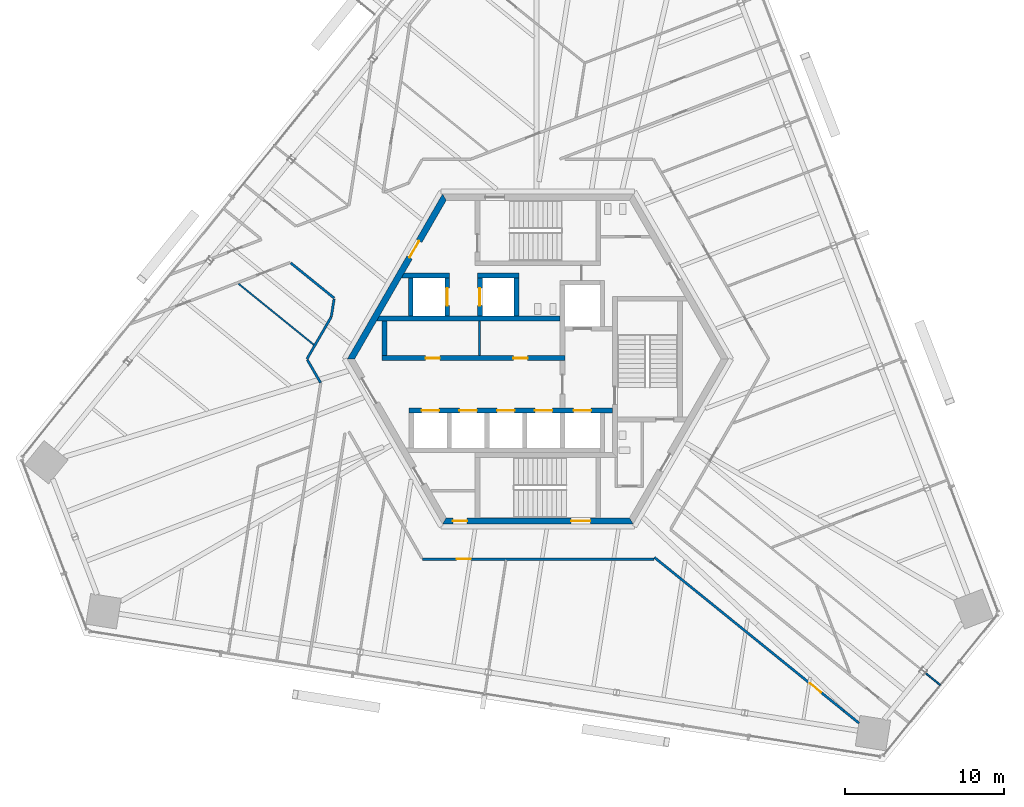
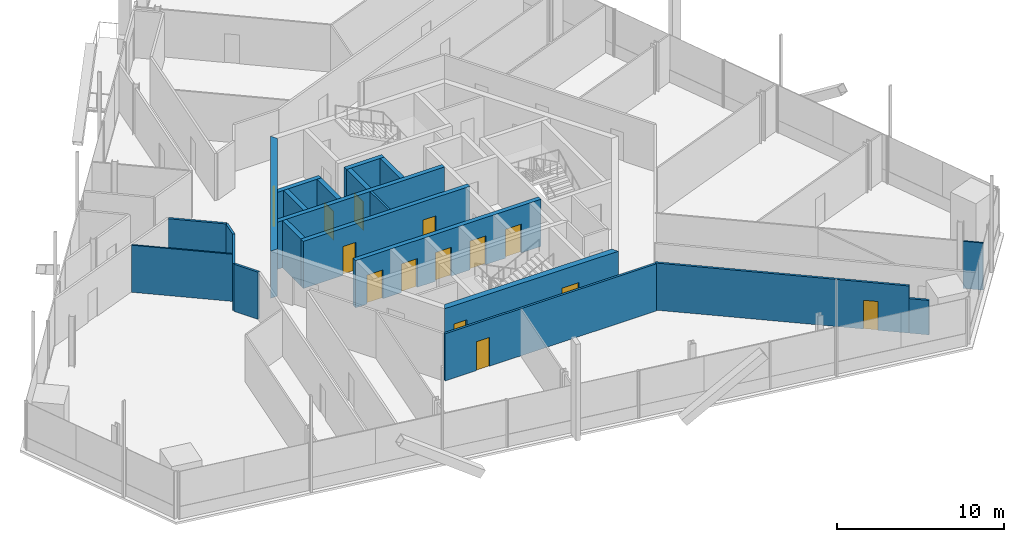
# One storey, part 12 of 21: 22 walls, 14 doors, 14 openings.
"""IFC4 building model written with IfcOpenShell, lengths in metres."""

from ifc_helpers import new_model, si_unit, direction, frame, frame_2d, origin, place, context, subcontext, project, spatial, polyline, rectangle, outline, extrude, source, transform, mapped, material, layer, layer_set, type_object, element, fill, save


model = new_model("IFC4")

# Units and contexts
model_context = context("Model", 3, precision=1e-05, world=origin(), true_north=direction((0.0, 1.0)))
body_context = subcontext(model_context, "Body", "Model", "MODEL_VIEW")
ifc_project = project(units=[si_unit("LENGTHUNIT", "METRE"), si_unit("AREAUNIT", "SQUARE_METRE"), si_unit("VOLUMEUNIT", "CUBIC_METRE"), si_unit("PLANEANGLEUNIT", "RADIAN"), si_unit("MASSUNIT", "GRAM", prefix="KILO")], contexts=[model_context])

# Site, building, storey
site_placement = place(None, origin())
site = spatial("IfcSite", under=ifc_project, at=site_placement, CompositionType="ELEMENT")
building_placement = place(site_placement, origin())
building = spatial("IfcBuilding", under=site, at=building_placement, Name="Triune Harvest Tower", CompositionType="ELEMENT")
storey_placement = place(building_placement, frame((0.0, 0.0, 160.5)))
storey = spatial("IfcBuildingStorey", under=building, at=storey_placement, Name="L41", CompositionType="ELEMENT", Elevation=160.5)

# Walls
ifc_material_1 = material(Name="Gypsum board on steel studs", Category="steel")
ifc_layer_1 = layer(ifc_material_1, 0.14990234375)
ifc_layer_set_1 = layer_set([ifc_layer_1], Name="Gypsum board on steel studs")
wall_type_1 = type_object("IfcWallType", Name="Fire Partition 150 mm", PredefinedType="PARTITIONING", material=ifc_layer_set_1)
wall_1_placement = place(storey_placement, frame((-15.559814453125, 6.0537109375, 0.0), z_axis=(0.0, 0.0, 1.0), x_axis=(0.77713195992, -0.629337681115, 0.0)))
element("IfcWall", 1, at=wall_1_placement, inside=storey, type_object=wall_type_1, Name="Partition L41 007", PredefinedType="PARTITIONING", context=body_context, shape_type="SweptSolid", body=[
    extrude(rectangle(XDim=3.525146484375, YDim=0.14990234375, at=frame_2d((1.7626953125, 0.0))), origin(), (0.0, 0.0, 1.0), 3.43994140625),
])
wall_2_placement = place(storey_placement, frame((19.277587890625, -22.15673828125, 0.0), z_axis=(0.0, 0.0, 1.0), x_axis=(0.777076635604, -0.629405991709, 0.0)))
element("IfcWall", 2, at=wall_2_placement, inside=storey, type_object=wall_type_1, Name="Partition L41 008a", PredefinedType="PARTITIONING", context=body_context, shape_type="SweptSolid", body=[
    extrude(rectangle(XDim=1.216796875, YDim=0.14990234375, at=frame_2d((0.6083984375, 0.0))), origin(), (0.0, 0.0, 1.0), 2.51806640625),
])

# Wall, opening, door
ifc_material_2 = material(Name="Concrete 70 MPa", Category="concrete")
ifc_layer_2 = layer(ifc_material_2, 0.39990234375)
ifc_layer_set_2 = layer_set([ifc_layer_2], Name="Concrete 70 MPa")
wall_type_2 = type_object("IfcWallType", Name="Core wall 400", PredefinedType="SHEAR", material=ifc_layer_set_2)
shared_shape_1 = source(origin(), body_context, "Body", "SweptSolid", [
    extrude(outline(polyline([(-0.115478515625, -0.199951171875), (11.884521484375, -0.199951171875), (11.653564453125, 0.199951171875), (0.115478515625, 0.199951171875), (-0.115478515625, -0.199951171875)])), origin(), (0.0, 0.0, 1.0), 3.43994140625),
])
wall_3_placement = place(storey_placement, frame((-5.884521484375, 10.1923828125, 0.0), z_axis=(0.0, 0.0, 1.0), x_axis=(-0.499996592174, -0.866027371285, 0.0)))
wall_3 = element("IfcWall", 3, at=wall_3_placement, inside=storey, type_object=wall_type_2, Name="Hexagon 2 wall", PredefinedType="SHEAR", context=body_context, shape_type="MappedRepresentation", body=[
    mapped(shared_shape_1, transform((0.0, 0.0, 0.0), scale=1.0)),
])
opening_1_placement = place(wall_3_placement, frame((3.1845703125, 0.0, 0.0)))
opening_1 = element("IfcOpeningElement", 4, at=opening_1_placement, cuts=wall_3, Name="Opening CD-SVP", PredefinedType="OPENING", context=body_context, shape_type="SweptSolid", body=[
    extrude(rectangle(XDim=1.199951171875, YDim=2.10009765625, at=frame_2d((0.60009765625, 1.050048828125))), frame((0.0, 0.2099609375, 0.0), z_axis=(0.0, -1.0, 0.0), x_axis=(1.0, 0.0, 0.0)), (0.0, 0.0, 1.0), 0.419921875),
])
ifc_material_3 = material(Name="Steel S235", Category="steel")
door_type_1 = type_object("IfcDoorType", Name="Service door 1200 FD120", OperationType="SINGLE_SWING_LEFT", PredefinedType="DOOR", material=ifc_material_3)
door_1_placement = place(opening_1_placement, frame((1.199951171875, 0.0, 0.0), z_axis=(0.0, 0.0, 1.0), x_axis=(-1.0, 0.0, 0.0)))
door_1 = element("IfcDoor", 5, at=door_1_placement, inside=storey, type_object=door_type_1, Name="Door CD-SVP", OperationType="SINGLE_SWING_RIGHT", OverallHeight=2.10009765625, OverallWidth=1.199951171875, PredefinedType="DOOR", context=body_context, shape_type="SweptSolid", body=[
    extrude(rectangle(XDim=1.199951171875, YDim=2.10009765625, at=frame_2d((0.60009765625, 1.050048828125))), frame((0.0, 0.02490234375, 0.0), z_axis=(0.0, -1.0, 0.0), x_axis=(1.0, 0.0, 0.0)), (0.0, 0.0, 1.0), 0.050048828125),
])
fill(opening_1, door_1)

# Wall, openings, doors
wall_4_placement = place(storey_placement, frame((-5.884521484375, -10.1923828125, 0.0), z_axis=(0.0, 0.0, 1.0), x_axis=(1.0, 0.0, 0.0)))
wall_4 = element("IfcWall", 6, at=wall_4_placement, inside=storey, type_object=wall_type_2, Name="Hexagon 4 wall", PredefinedType="SHEAR", context=body_context, shape_type="MappedRepresentation", body=[
    mapped(shared_shape_1, transform((0.0, 0.0, 0.0), scale=1.0)),
])
opening_2_placement = place(wall_4_placement, frame((7.984619140625, 0.0, 0.0)))
opening_2 = element("IfcOpeningElement", 7, at=opening_2_placement, cuts=wall_4, Name="Opening CD-S2P", PredefinedType="OPENING", context=body_context, shape_type="SweptSolid", body=[
    extrude(rectangle(XDim=1.199951171875, YDim=2.10009765625, at=frame_2d((0.60009765625, 1.050048828125))), frame((0.0, 0.2099609375, 0.0), z_axis=(0.0, -1.0, 0.0), x_axis=(1.0, 0.0, 0.0)), (0.0, 0.0, 1.0), 0.419921875),
])
opening_3_placement = place(wall_4_placement, frame((0.534423828125, 0.0, 0.0)))
opening_3 = element("IfcOpeningElement", 8, at=opening_3_placement, cuts=wall_4, Name="Opening CD-SWS", PredefinedType="OPENING", context=body_context, shape_type="SweptSolid", body=[
    extrude(rectangle(XDim=0.89990234375, YDim=2.10009765625, at=frame_2d((0.449951171875, 1.050048828125))), frame((0.0, 0.2099609375, 0.0), z_axis=(0.0, -1.0, 0.0), x_axis=(1.0, 0.0, 0.0)), (0.0, 0.0, 1.0), 0.419921875),
])
ifc_material_4 = material(Name="Steel S235", Category="steel")
door_type_2 = type_object("IfcDoorType", Name="Riser door 900 FD120", OperationType="SINGLE_SWING_LEFT", PredefinedType="DOOR", material=ifc_material_4)
door_2_placement = place(opening_3_placement, frame((0.89990234375, 0.0, 0.0), z_axis=(0.0, 0.0, 1.0), x_axis=(-1.0, 0.0, 0.0)))
door_2 = element("IfcDoor", 9, at=door_2_placement, inside=storey, type_object=door_type_2, Name="Door CD-SWS", OperationType="SINGLE_SWING_RIGHT", OverallHeight=2.10009765625, OverallWidth=0.89990234375, PredefinedType="DOOR", context=body_context, shape_type="SweptSolid", body=[
    extrude(rectangle(XDim=0.89990234375, YDim=2.10009765625, at=frame_2d((0.449951171875, 1.050048828125))), frame((0.0, 0.02490234375, 0.0), z_axis=(0.0, -1.0, 0.0), x_axis=(1.0, 0.0, 0.0)), (0.0, 0.0, 1.0), 0.050048828125),
])
fill(opening_3, door_2)
ifc_material_5 = material(Name="Steel S235", Category="steel")
door_type_3 = type_object("IfcDoorType", Name="Stair door 1200 FD120", OperationType="SINGLE_SWING_LEFT", PredefinedType="DOOR", material=ifc_material_5)
door_3_placement = place(opening_2_placement, frame((1.199951171875, 0.0, 0.0), z_axis=(0.0, 0.0, 1.0), x_axis=(-1.0, 0.0, 0.0)))
door_3 = element("IfcDoor", 10, at=door_3_placement, inside=storey, type_object=door_type_3, Name="Door CD-S2P", OperationType="SINGLE_SWING_RIGHT", OverallHeight=2.10009765625, OverallWidth=1.199951171875, PredefinedType="DOOR", context=body_context, shape_type="SweptSolid", body=[
    extrude(rectangle(XDim=1.199951171875, YDim=2.10009765625, at=frame_2d((0.60009765625, 1.050048828125))), frame((0.0, 0.02490234375, 0.0), z_axis=(0.0, -1.0, 0.0), x_axis=(1.0, 0.0, 0.0)), (0.0, 0.0, 1.0), 0.050048828125),
])
fill(opening_2, door_3)

ifc_material_6 = material(Name="Concrete 70 MPa", Category="concrete")
ifc_layer_3 = layer(ifc_material_6, 0.300048828125)
ifc_layer_set_3 = layer_set([ifc_layer_3], Name="Concrete 70 MPa")
wall_type_3 = type_object("IfcWallType", Name="Core wall 300", PredefinedType="SHEAR", material=ifc_layer_set_3)
shared_shape_2 = source(origin(), body_context, "Body", "SweptSolid", [
    extrude(rectangle(XDim=11.5, YDim=0.300048828125, at=frame_2d((5.75, 0.0))), origin(), (0.0, 0.0, 1.0), 3.43994140625),
])
wall_5_placement = place(storey_placement, frame((-9.800048828125, 0.06005859375, 0.0), z_axis=(0.0, 0.0, 1.0), x_axis=(1.0, 0.0, 0.0)))
wall_5 = element("IfcWall", 11, at=wall_5_placement, inside=storey, type_object=wall_type_3, Name="North front wall", PredefinedType="SHEAR", context=body_context, shape_type="MappedRepresentation", body=[
    mapped(shared_shape_2, transform((0.0, 0.0, 0.0), scale=1.0)),
])
opening_4_placement = place(wall_5_placement, frame((2.7275390625, 0.0, 0.0)))
opening_4 = element("IfcOpeningElement", 12, at=opening_4_placement, cuts=wall_5, Name="Opening CD-RN1", PredefinedType="OPENING", context=body_context, shape_type="SweptSolid", body=[
    extrude(rectangle(XDim=0.89990234375, YDim=2.10009765625, at=frame_2d((0.449951171875, 1.050048828125))), frame((0.0, 0.16015625, 0.0), z_axis=(0.0, -1.0, 0.0), x_axis=(1.0, 0.0, 0.0)), (0.0, 0.0, 1.0), 0.320068359375),
])
opening_5_placement = place(wall_5_placement, frame((8.25244140625, 0.0, 0.0)))
opening_5 = element("IfcOpeningElement", 13, at=opening_5_placement, cuts=wall_5, Name="Opening CD-RN2", PredefinedType="OPENING", context=body_context, shape_type="SweptSolid", body=[
    extrude(rectangle(XDim=0.89990234375, YDim=2.10009765625, at=frame_2d((0.449951171875, 1.050048828125))), frame((0.0, 0.16015625, 0.0), z_axis=(0.0, -1.0, 0.0), x_axis=(1.0, 0.0, 0.0)), (0.0, 0.0, 1.0), 0.320068359375),
])
door_4_placement = place(opening_4_placement, frame((0.89990234375, 0.0, 0.0), z_axis=(0.0, 0.0, 1.0), x_axis=(-1.0, 0.0, 0.0)))
door_4 = element("IfcDoor", 14, at=door_4_placement, inside=storey, type_object=door_type_2, Name="Door CD-RN1", OperationType="SINGLE_SWING_RIGHT", OverallHeight=2.10009765625, OverallWidth=0.89990234375, PredefinedType="DOOR", context=body_context, shape_type="SweptSolid", body=[
    extrude(rectangle(XDim=0.89990234375, YDim=2.10009765625, at=frame_2d((0.449951171875, 1.050048828125))), frame((0.0, 0.02490234375, 0.0), z_axis=(0.0, -1.0, 0.0), x_axis=(1.0, 0.0, 0.0)), (0.0, 0.0, 1.0), 0.050048828125),
])
fill(opening_4, door_4)
door_5_placement = place(opening_5_placement, frame((0.89990234375, 0.0, 0.0), z_axis=(0.0, 0.0, 1.0), x_axis=(-1.0, 0.0, 0.0)))
door_5 = element("IfcDoor", 15, at=door_5_placement, inside=storey, type_object=door_type_2, Name="Door CD-RN2", OperationType="SINGLE_SWING_RIGHT", OverallHeight=2.10009765625, OverallWidth=0.89990234375, PredefinedType="DOOR", context=body_context, shape_type="SweptSolid", body=[
    extrude(rectangle(XDim=0.89990234375, YDim=2.10009765625, at=frame_2d((0.449951171875, 1.050048828125))), frame((0.0, 0.02490234375, 0.0), z_axis=(0.0, -1.0, 0.0), x_axis=(1.0, 0.0, 0.0)), (0.0, 0.0, 1.0), 0.050048828125),
])
fill(opening_5, door_5)

# Wall
shared_shape_3 = source(origin(), body_context, "Body", "SweptSolid", [
    extrude(outline(polyline([(11.199951171875, -0.14990234375), (-0.34912109375, -0.14990234375), (-0.17578125, 0.14990234375), (11.199951171875, 0.14990234375), (11.199951171875, -0.14990234375)])), origin(), (0.0, 0.0, 1.0), 3.43994140625),
])
wall_6_placement = place(storey_placement, frame((-9.800048828125, 2.56005859375, 0.0), z_axis=(0.0, 0.0, 1.0), x_axis=(1.0, 0.0, 0.0)))
element("IfcWall", 16, at=wall_6_placement, inside=storey, type_object=wall_type_3, Name="North back wall", PredefinedType="SHEAR", context=body_context, shape_type="MappedRepresentation", body=[
    mapped(shared_shape_3, transform((0.0, 0.0, 0.0), scale=1.0)),
])

# Wall, openings, doors
shared_shape_4 = source(origin(), body_context, "Body", "SweptSolid", [
    extrude(rectangle(XDim=12.800048828125, YDim=0.300048828125, at=frame_2d((6.39990234375, 0.0))), origin(), (0.0, 0.0, 1.0), 3.43994140625),
])
wall_7_placement = place(storey_placement, frame((-8.10009765625, -3.239990234375, 0.0), z_axis=(0.0, 0.0, 1.0), x_axis=(1.0, 0.0, 0.0)))
wall_7 = element("IfcWall", 17, at=wall_7_placement, inside=storey, type_object=wall_type_3, Name="South front wall", PredefinedType="SHEAR", context=body_context, shape_type="MappedRepresentation", body=[
    mapped(shared_shape_4, transform((0.0, 0.0, 0.0), scale=1.0)),
])
opening_6_placement = place(wall_7_placement, frame((0.78759765625, 0.0, 0.0)))
opening_6 = element("IfcOpeningElement", 18, at=opening_6_placement, cuts=wall_7, Name="Opening LD-HR1-41", PredefinedType="OPENING", context=body_context, shape_type="SweptSolid", body=[
    extrude(rectangle(XDim=1.10009765625, YDim=2.10009765625, at=frame_2d((0.550048828125, 1.050048828125))), frame((0.0, 0.16015625, 0.0), z_axis=(0.0, -1.0, 0.0), x_axis=(1.0, 0.0, 0.0)), (0.0, 0.0, 1.0), 0.320068359375),
])
opening_7_placement = place(wall_7_placement, frame((3.16259765625, 0.0, 0.0)))
opening_7 = element("IfcOpeningElement", 19, at=opening_7_placement, cuts=wall_7, Name="Opening LD-HR2-41", PredefinedType="OPENING", context=body_context, shape_type="SweptSolid", body=[
    extrude(rectangle(XDim=1.10009765625, YDim=2.10009765625, at=frame_2d((0.550048828125, 1.050048828125))), frame((0.0, 0.16015625, 0.0), z_axis=(0.0, -1.0, 0.0), x_axis=(1.0, 0.0, 0.0)), (0.0, 0.0, 1.0), 0.320068359375),
])
opening_8_placement = place(wall_7_placement, frame((5.53759765625, 0.0, 0.0)))
opening_8 = element("IfcOpeningElement", 20, at=opening_8_placement, cuts=wall_7, Name="Opening LD-HR3-41", PredefinedType="OPENING", context=body_context, shape_type="SweptSolid", body=[
    extrude(rectangle(XDim=1.10009765625, YDim=2.10009765625, at=frame_2d((0.550048828125, 1.050048828125))), frame((0.0, 0.16015625, 0.0), z_axis=(0.0, -1.0, 0.0), x_axis=(1.0, 0.0, 0.0)), (0.0, 0.0, 1.0), 0.320068359375),
])
opening_9_placement = place(wall_7_placement, frame((7.91259765625, 0.0, 0.0)))
opening_9 = element("IfcOpeningElement", 21, at=opening_9_placement, cuts=wall_7, Name="Opening LD-HR4-41", PredefinedType="OPENING", context=body_context, shape_type="SweptSolid", body=[
    extrude(rectangle(XDim=1.10009765625, YDim=2.10009765625, at=frame_2d((0.550048828125, 1.050048828125))), frame((0.0, 0.16015625, 0.0), z_axis=(0.0, -1.0, 0.0), x_axis=(1.0, 0.0, 0.0)), (0.0, 0.0, 1.0), 0.320068359375),
])
opening_10_placement = place(wall_7_placement, frame((10.35009765625, 0.0, 0.0)))
opening_10 = element("IfcOpeningElement", 22, at=opening_10_placement, cuts=wall_7, Name="Opening LD-FF2-41", PredefinedType="OPENING", context=body_context, shape_type="SweptSolid", body=[
    extrude(rectangle(XDim=1.10009765625, YDim=2.10009765625, at=frame_2d((0.550048828125, 1.050048828125))), frame((0.0, 0.16015625, 0.0), z_axis=(0.0, -1.0, 0.0), x_axis=(1.0, 0.0, 0.0)), (0.0, 0.0, 1.0), 0.320068359375),
])
ifc_material_7 = material(Name="Stainless steel AISI 304", Category="steel")
door_type_4 = type_object("IfcDoorType", Name="Landing door 1100 x 2100", OperationType="DOUBLE_DOOR_SLIDING", PredefinedType="DOOR", material=ifc_material_7)
door_6_placement = place(opening_6_placement, origin())
door_6 = element("IfcDoor", 23, at=door_6_placement, inside=storey, type_object=door_type_4, Name="Door LD-HR1-41", OperationType="DOUBLE_DOOR_SLIDING", OverallHeight=2.10009765625, OverallWidth=1.10009765625, PredefinedType="DOOR", context=body_context, shape_type="SweptSolid", body=[
    extrude(rectangle(XDim=1.10009765625, YDim=2.10009765625, at=frame_2d((0.550048828125, 1.050048828125))), frame((0.0, 0.02490234375, 0.0), z_axis=(0.0, -1.0, 0.0), x_axis=(1.0, 0.0, 0.0)), (0.0, 0.0, 1.0), 0.050048828125),
])
fill(opening_6, door_6)
door_7_placement = place(opening_7_placement, origin())
door_7 = element("IfcDoor", 24, at=door_7_placement, inside=storey, type_object=door_type_4, Name="Door LD-HR2-41", OperationType="DOUBLE_DOOR_SLIDING", OverallHeight=2.10009765625, OverallWidth=1.10009765625, PredefinedType="DOOR", context=body_context, shape_type="SweptSolid", body=[
    extrude(rectangle(XDim=1.10009765625, YDim=2.10009765625, at=frame_2d((0.550048828125, 1.050048828125))), frame((0.0, 0.02490234375, 0.0), z_axis=(0.0, -1.0, 0.0), x_axis=(1.0, 0.0, 0.0)), (0.0, 0.0, 1.0), 0.050048828125),
])
fill(opening_7, door_7)
door_8_placement = place(opening_8_placement, origin())
door_8 = element("IfcDoor", 25, at=door_8_placement, inside=storey, type_object=door_type_4, Name="Door LD-HR3-41", OperationType="DOUBLE_DOOR_SLIDING", OverallHeight=2.10009765625, OverallWidth=1.10009765625, PredefinedType="DOOR", context=body_context, shape_type="SweptSolid", body=[
    extrude(rectangle(XDim=1.10009765625, YDim=2.10009765625, at=frame_2d((0.550048828125, 1.050048828125))), frame((0.0, 0.02490234375, 0.0), z_axis=(0.0, -1.0, 0.0), x_axis=(1.0, 0.0, 0.0)), (0.0, 0.0, 1.0), 0.050048828125),
])
fill(opening_8, door_8)
door_9_placement = place(opening_9_placement, origin())
door_9 = element("IfcDoor", 26, at=door_9_placement, inside=storey, type_object=door_type_4, Name="Door LD-HR4-41", OperationType="DOUBLE_DOOR_SLIDING", OverallHeight=2.10009765625, OverallWidth=1.10009765625, PredefinedType="DOOR", context=body_context, shape_type="SweptSolid", body=[
    extrude(rectangle(XDim=1.10009765625, YDim=2.10009765625, at=frame_2d((0.550048828125, 1.050048828125))), frame((0.0, 0.02490234375, 0.0), z_axis=(0.0, -1.0, 0.0), x_axis=(1.0, 0.0, 0.0)), (0.0, 0.0, 1.0), 0.050048828125),
])
fill(opening_9, door_9)
door_10_placement = place(opening_10_placement, origin())
door_10 = element("IfcDoor", 27, at=door_10_placement, inside=storey, type_object=door_type_4, Name="Door LD-FF2-41", OperationType="DOUBLE_DOOR_SLIDING", OverallHeight=2.10009765625, OverallWidth=1.10009765625, PredefinedType="DOOR", context=body_context, shape_type="SweptSolid", body=[
    extrude(rectangle(XDim=1.10009765625, YDim=2.10009765625, at=frame_2d((0.550048828125, 1.050048828125))), frame((0.0, 0.02490234375, 0.0), z_axis=(0.0, -1.0, 0.0), x_axis=(1.0, 0.0, 0.0)), (0.0, 0.0, 1.0), 0.050048828125),
])
fill(opening_10, door_10)

# Walls
shared_shape_5 = source(origin(), body_context, "Body", "SweptSolid", [
    extrude(rectangle(XDim=2.199951171875, YDim=0.300048828125, at=frame_2d((1.10009765625, 0.0))), origin(), (0.0, 0.0, 1.0), 3.43994140625),
])
wall_8_placement = place(storey_placement, frame((-9.64990234375, 0.2099609375, 0.0), z_axis=(0.0, 0.0, 1.0), x_axis=(0.0, 1.0, 0.0)))
element("IfcWall", 28, at=wall_8_placement, inside=storey, type_object=wall_type_3, Name="North end west wall", PredefinedType="SHEAR", context=body_context, shape_type="MappedRepresentation", body=[
    mapped(shared_shape_5, transform((0.0, 0.0, 0.0), scale=1.0)),
])
shared_shape_6 = source(origin(), body_context, "Body", "SweptSolid", [
    extrude(outline(polyline([(2.60009765625, -0.14990234375), (-0.440185546875, -0.14990234375), (-0.26708984375, 0.14990234375), (2.60009765625, 0.14990234375), (2.60009765625, -0.14990234375)])), origin(), (0.0, 0.0, 1.0), 3.43994140625),
])
wall_9_placement = place(storey_placement, frame((-8.14990234375, 5.260009765625, 0.0), z_axis=(0.0, 0.0, 1.0), x_axis=(1.0, 0.0, 0.0)))
element("IfcWall", 29, at=wall_9_placement, inside=storey, type_object=wall_type_3, Name="Sv1 north wall", PredefinedType="SHEAR", context=body_context, shape_type="MappedRepresentation", body=[
    mapped(shared_shape_6, transform((0.0, 0.0, 0.0), scale=1.0)),
])
shared_shape_7 = source(origin(), body_context, "Body", "SweptSolid", [
    extrude(rectangle(XDim=2.400146484375, YDim=0.300048828125, at=frame_2d((1.2001953125, 0.0))), origin(), (0.0, 0.0, 1.0), 3.43994140625),
])
wall_10_placement = place(storey_placement, frame((-8.0, 2.7099609375, 0.0), z_axis=(0.0, 0.0, 1.0), x_axis=(0.0, 1.0, 0.0)))
element("IfcWall", 30, at=wall_10_placement, inside=storey, type_object=wall_type_3, Name="Sv1 west wall", PredefinedType="SHEAR", context=body_context, shape_type="MappedRepresentation", body=[
    mapped(shared_shape_7, transform((0.0, 0.0, 0.0), scale=1.0)),
])

# Wall, opening, door
wall_11_placement = place(storey_placement, frame((-5.699951171875, 2.7099609375, 0.0), z_axis=(0.0, 0.0, 1.0), x_axis=(0.0, 1.0, 0.0)))
wall_11 = element("IfcWall", 31, at=wall_11_placement, inside=storey, type_object=wall_type_3, Name="Sv1 east wall", PredefinedType="SHEAR", context=body_context, shape_type="MappedRepresentation", body=[
    mapped(shared_shape_7, transform((0.0, 0.0, 0.0), scale=1.0)),
])
opening_11_placement = place(wall_11_placement, frame((0.64990234375, 0.0, 0.0)))
opening_11 = element("IfcOpeningElement", 32, at=opening_11_placement, cuts=wall_11, Name="Opening LD-SV1-41", PredefinedType="OPENING", context=body_context, shape_type="SweptSolid", body=[
    extrude(rectangle(XDim=1.10009765625, YDim=2.10009765625, at=frame_2d((0.550048828125, 1.050048828125))), frame((0.0, 0.16015625, 0.0), z_axis=(0.0, -1.0, 0.0), x_axis=(1.0, 0.0, 0.0)), (0.0, 0.0, 1.0), 0.320068359375),
])
door_11_placement = place(opening_11_placement, origin())
door_11 = element("IfcDoor", 33, at=door_11_placement, inside=storey, type_object=door_type_4, Name="Door LD-SV1-41", OperationType="DOUBLE_DOOR_SLIDING", OverallHeight=2.10009765625, OverallWidth=1.10009765625, PredefinedType="DOOR", context=body_context, shape_type="SweptSolid", body=[
    extrude(rectangle(XDim=1.10009765625, YDim=2.10009765625, at=frame_2d((0.550048828125, 1.050048828125))), frame((0.0, 0.02490234375, 0.0), z_axis=(0.0, -1.0, 0.0), x_axis=(1.0, 0.0, 0.0)), (0.0, 0.0, 1.0), 0.050048828125),
])
fill(opening_11, door_11)

wall_12_placement = place(storey_placement, frame((-3.64990234375, 2.7099609375, 0.0), z_axis=(0.0, 0.0, 1.0), x_axis=(0.0, 1.0, 0.0)))
wall_12 = element("IfcWall", 34, at=wall_12_placement, inside=storey, type_object=wall_type_3, Name="Sv2 west wall", PredefinedType="SHEAR", context=body_context, shape_type="MappedRepresentation", body=[
    mapped(shared_shape_7, transform((0.0, 0.0, 0.0), scale=1.0)),
])
opening_12_placement = place(wall_12_placement, frame((0.64990234375, 0.0, 0.0)))
opening_12 = element("IfcOpeningElement", 35, at=opening_12_placement, cuts=wall_12, Name="Opening LD-SV2-41", PredefinedType="OPENING", context=body_context, shape_type="SweptSolid", body=[
    extrude(rectangle(XDim=1.10009765625, YDim=2.10009765625, at=frame_2d((0.550048828125, 1.050048828125))), frame((0.0, 0.16015625, 0.0), z_axis=(0.0, -1.0, 0.0), x_axis=(1.0, 0.0, 0.0)), (0.0, 0.0, 1.0), 0.320068359375),
])
door_12_placement = place(opening_12_placement, origin())
door_12 = element("IfcDoor", 36, at=door_12_placement, inside=storey, type_object=door_type_4, Name="Door LD-SV2-41", OperationType="DOUBLE_DOOR_SLIDING", OverallHeight=2.10009765625, OverallWidth=1.10009765625, PredefinedType="DOOR", context=body_context, shape_type="SweptSolid", body=[
    extrude(rectangle(XDim=1.10009765625, YDim=2.10009765625, at=frame_2d((0.550048828125, 1.050048828125))), frame((0.0, 0.02490234375, 0.0), z_axis=(0.0, -1.0, 0.0), x_axis=(1.0, 0.0, 0.0)), (0.0, 0.0, 1.0), 0.050048828125),
])
fill(opening_12, door_12)

# Walls
wall_13_placement = place(storey_placement, frame((-1.35009765625, 2.7099609375, 0.0), z_axis=(0.0, 0.0, 1.0), x_axis=(0.0, 1.0, 0.0)))
element("IfcWall", 37, at=wall_13_placement, inside=storey, type_object=wall_type_3, Name="Sv2 east wall", PredefinedType="SHEAR", context=body_context, shape_type="MappedRepresentation", body=[
    mapped(shared_shape_7, transform((0.0, 0.0, 0.0), scale=1.0)),
])
shared_shape_8 = source(origin(), body_context, "Body", "SweptSolid", [
    extrude(rectangle(XDim=2.60009765625, YDim=0.300048828125, at=frame_2d((1.300048828125, 0.0))), origin(), (0.0, 0.0, 1.0), 3.43994140625),
])
wall_14_placement = place(storey_placement, frame((-3.800048828125, 5.260009765625, 0.0), z_axis=(0.0, 0.0, 1.0), x_axis=(1.0, 0.0, 0.0)))
element("IfcWall", 38, at=wall_14_placement, inside=storey, type_object=wall_type_3, Name="Sv2 north wall", PredefinedType="SHEAR", context=body_context, shape_type="MappedRepresentation", body=[
    mapped(shared_shape_8, transform((0.0, 0.0, 0.0), scale=1.0)),
])
ifc_material_8 = material(Name="Concrete masonry unit", Category="masonry")
ifc_layer_4 = layer(ifc_material_8, 0.14990234375)
ifc_layer_set_4 = layer_set([ifc_layer_4], Name="Concrete masonry unit")
wall_type_4 = type_object("IfcWallType", Name="Block partition 150", PredefinedType="PARTITIONING", material=ifc_layer_set_4)
shared_shape_9 = source(origin(), body_context, "Body", "SweptSolid", [
    extrude(rectangle(XDim=2.199951171875, YDim=0.14990234375, at=frame_2d((1.10009765625, 0.0))), origin(), (0.0, 0.0, 1.0), 3.43994140625),
])
wall_15_placement = place(storey_placement, frame((-3.669921875, 0.2099609375, 0.0), z_axis=(0.0, 0.0, 1.0), x_axis=(0.0, 1.0, 0.0)))
element("IfcWall", 39, at=wall_15_placement, inside=storey, type_object=wall_type_4, Name="Row n part 1 wall", PredefinedType="PARTITIONING", context=body_context, shape_type="MappedRepresentation", body=[
    mapped(shared_shape_9, transform((0.0, 0.0, 0.0), scale=1.0)),
])
ifc_material_9 = material(Name="Gypsum board on steel studs", Category="steel")
ifc_layer_5 = layer(ifc_material_9, 0.10009765625)
ifc_layer_set_5 = layer_set([ifc_layer_5], Name="Gypsum board on steel studs")
wall_type_5 = type_object("IfcWallType", Name="Partition 100 mm", PredefinedType="PARTITIONING", material=ifc_layer_set_5)
shared_shape_10 = source(origin(), body_context, "Body", "SweptSolid", [
    extrude(rectangle(XDim=1.2119140625, YDim=0.10009765625, at=frame_2d((0.60595703125, 0.0))), origin(), (0.0, 0.0, 1.0), 3.43994140625),
])
wall_16_placement = place(storey_placement, frame((24.39990234375, -19.7587890625, 0.0), z_axis=(0.0, 0.0, 1.0), x_axis=(0.777160423943, -0.629302530948, 0.0)))
element("IfcWall", 40, at=wall_16_placement, inside=storey, type_object=wall_type_5, Name="Partition L41 014", PredefinedType="PARTITIONING", context=body_context, shape_type="MappedRepresentation", body=[
    mapped(shared_shape_10, transform((0.0, 0.0, 0.0), scale=1.0)),
])
shared_shape_11 = source(origin(), body_context, "Body", "SweptSolid", [
    extrude(rectangle(XDim=1.666015625, YDim=0.14990234375, at=frame_2d((0.8330078125, 0.0))), origin(), (0.0, 0.0, 1.0), 3.43994140625),
])
wall_17_placement = place(storey_placement, frame((-14.515380859375, -0.043212890625, 0.0), z_axis=(0.0, 0.0, 1.0), x_axis=(0.499984603534, -0.866034292756, 0.0)))
element("IfcWall", 41, at=wall_17_placement, inside=storey, type_object=wall_type_1, Name="Partition L41 002", PredefinedType="PARTITIONING", context=body_context, shape_type="MappedRepresentation", body=[
    mapped(shared_shape_11, transform((0.0, 0.0, 0.0), scale=1.0)),
])
shared_shape_12 = source(origin(), body_context, "Body", "SweptSolid", [
    extrude(rectangle(XDim=6.180419921875, YDim=0.10009765625, at=frame_2d((3.09033203125, 0.0))), origin(), (0.0, 0.0, 1.0), 3.43994140625),
])
wall_18_placement = place(storey_placement, frame((-18.849609375, 4.74462890625, 0.0), z_axis=(0.0, 0.0, 1.0), x_axis=(0.777159312265, -0.629303903817, 0.0)))
element("IfcWall", 42, at=wall_18_placement, inside=storey, type_object=wall_type_5, Name="Partition L41 005", PredefinedType="PARTITIONING", context=body_context, shape_type="MappedRepresentation", body=[
    mapped(shared_shape_12, transform((0.0, 0.0, 0.0), scale=1.0)),
])

# Wall, opening, door
shared_shape_13 = source(origin(), body_context, "Body", "SweptSolid", [
    extrude(rectangle(XDim=15.3701171875, YDim=0.14990234375, at=frame_2d((7.68505859375, 0.0))), origin(), (0.0, 0.0, 1.0), 3.43994140625),
])
wall_19_placement = place(storey_placement, frame((7.33251953125, -12.484130859375, 0.0), z_axis=(0.0, 0.0, 1.0), x_axis=(0.777156086686, -0.629307887228, 0.0)))
wall_19 = element("IfcWall", 43, at=wall_19_placement, inside=storey, type_object=wall_type_1, Name="Partition L41 008", PredefinedType="PARTITIONING", context=body_context, shape_type="MappedRepresentation", body=[
    mapped(shared_shape_13, transform((0.0, 0.0, 0.0), scale=1.0)),
])
opening_13_placement = place(wall_19_placement, frame((12.611572265625, 0.0, 0.0)))
opening_13 = element("IfcOpeningElement", 44, at=opening_13_placement, cuts=wall_19, Name="Opening L41-018", PredefinedType="OPENING", context=body_context, shape_type="SweptSolid", body=[
    extrude(rectangle(XDim=0.89990234375, YDim=2.10009765625, at=frame_2d((0.449951171875, 1.050048828125))), frame((0.0, 0.0849609375, 0.0), z_axis=(0.0, -1.0, 0.0), x_axis=(1.0, 0.0, 0.0)), (0.0, 0.0, 1.0), 0.169921875),
])
ifc_material_10 = material(Name="Timber and steel door set", Category="steel")
door_type_5 = type_object("IfcDoorType", Name="Single leaf door FD30 left hand 900 x 2100", OperationType="SINGLE_SWING_LEFT", PredefinedType="DOOR", material=ifc_material_10)
door_13_placement = place(opening_13_placement, origin())
door_13 = element("IfcDoor", 45, at=door_13_placement, inside=storey, type_object=door_type_5, Name="Door L41-018 Open Office 41.18", OperationType="SINGLE_SWING_LEFT", OverallHeight=2.10009765625, OverallWidth=0.89990234375, PredefinedType="DOOR", context=body_context, shape_type="SweptSolid", body=[
    extrude(rectangle(XDim=0.89990234375, YDim=2.10009765625, at=frame_2d((0.449951171875, 1.050048828125))), frame((0.0, 0.02490234375, 0.0), z_axis=(0.0, -1.0, 0.0), x_axis=(1.0, 0.0, 0.0)), (0.0, 0.0, 1.0), 0.050048828125),
])
fill(opening_13, door_13)

shared_shape_14 = source(origin(), body_context, "Body", "SweptSolid", [
    extrude(rectangle(XDim=14.576416015625, YDim=0.14990234375, at=frame_2d((7.2880859375, 0.0))), origin(), (0.0, 0.0, 1.0), 3.43994140625),
])
wall_20_placement = place(storey_placement, frame((-7.270263671875, -12.59228515625, 0.0), z_axis=(0.0, 0.0, 1.0), x_axis=(1.0, 0.0, 0.0)))
wall_20 = element("IfcWall", 46, at=wall_20_placement, inside=storey, type_object=wall_type_1, Name="Partition L41 019", PredefinedType="PARTITIONING", context=body_context, shape_type="MappedRepresentation", body=[
    mapped(shared_shape_14, transform((0.0, 0.0, 0.0), scale=1.0)),
])
opening_14_placement = place(wall_20_placement, frame((2.14990234375, 0.0, 0.0)))
opening_14 = element("IfcOpeningElement", 47, at=opening_14_placement, cuts=wall_20, Name="Opening L41-017", PredefinedType="OPENING", context=body_context, shape_type="SweptSolid", body=[
    extrude(rectangle(XDim=0.89990234375, YDim=2.10009765625, at=frame_2d((0.449951171875, 1.050048828125))), frame((0.0, 0.0849609375, 0.0), z_axis=(0.0, -1.0, 0.0), x_axis=(1.0, 0.0, 0.0)), (0.0, 0.0, 1.0), 0.169921875),
])
ifc_material_11 = material(Name="Timber and steel door set", Category="steel")
door_type_6 = type_object("IfcDoorType", Name="Single leaf door FD30 right hand 900 x 2100", OperationType="SINGLE_SWING_RIGHT", PredefinedType="DOOR", material=ifc_material_11)
door_14_placement = place(opening_14_placement, origin())
door_14 = element("IfcDoor", 48, at=door_14_placement, inside=storey, type_object=door_type_6, Name="Door L41-017 Project Room 41.17", OperationType="SINGLE_SWING_RIGHT", OverallHeight=2.10009765625, OverallWidth=0.89990234375, PredefinedType="DOOR", context=body_context, shape_type="SweptSolid", body=[
    extrude(rectangle(XDim=0.89990234375, YDim=2.10009765625, at=frame_2d((0.449951171875, 1.050048828125))), frame((0.0, 0.02490234375, 0.0), z_axis=(0.0, -1.0, 0.0), x_axis=(1.0, 0.0, 0.0)), (0.0, 0.0, 1.0), 0.050048828125),
])
fill(opening_14, door_14)

# Walls
shared_shape_15 = source(origin(), body_context, "Body", "SweptSolid", [
    extrude(rectangle(XDim=3.06640625, YDim=0.14990234375, at=frame_2d((1.533203125, 0.0))), origin(), (0.0, 0.0, 1.0), 3.43994140625),
])
wall_21_placement = place(storey_placement, frame((-14.540283203125, 0.0, 0.0), z_axis=(0.0, 0.0, 1.0), x_axis=(0.500009621294, 0.866019848856, 0.0)))
element("IfcWall", 49, at=wall_21_placement, inside=storey, type_object=wall_type_1, Name="Partition L41 043", PredefinedType="PARTITIONING", context=body_context, shape_type="MappedRepresentation", body=[
    mapped(shared_shape_15, transform((0.0, 0.0, 0.0), scale=1.0)),
])
shared_shape_16 = source(origin(), body_context, "Body", "SweptSolid", [
    extrude(rectangle(XDim=1.134521484375, YDim=0.14990234375, at=frame_2d((0.5673828125, 0.0))), origin(), (0.0, 0.0, 1.0), 3.43994140625),
])
wall_22_placement = place(storey_placement, frame((-13.005615234375, 2.665283203125, 0.0), z_axis=(0.0, 0.0, 1.0), x_axis=(0.156437701725, 0.987687827949, 0.0)))
element("IfcWall", 50, at=wall_22_placement, inside=storey, type_object=wall_type_1, Name="Partition L41 053", PredefinedType="PARTITIONING", context=body_context, shape_type="MappedRepresentation", body=[
    mapped(shared_shape_16, transform((0.0, 0.0, 0.0), scale=1.0)),
])

save(model, "model.ifc")
